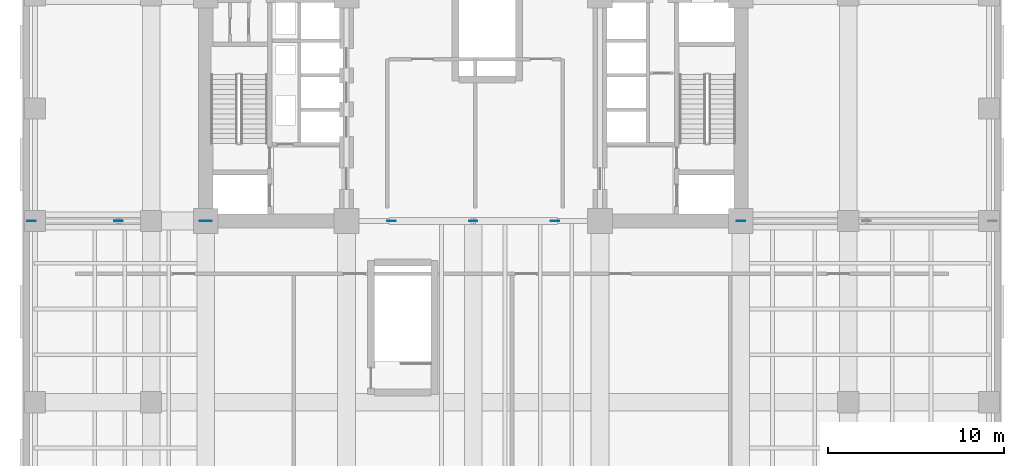
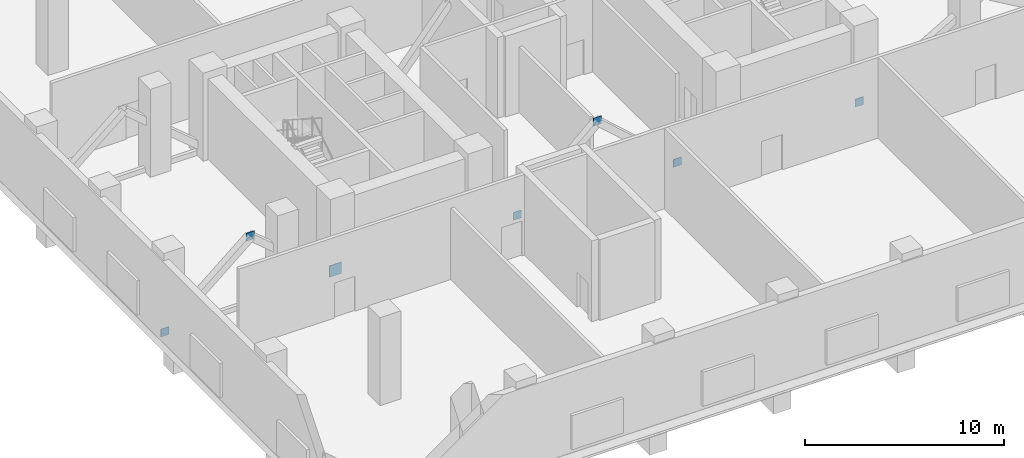
# One storey, part 3 of 13: 7 plates.
"""IFC4 building model written with IfcOpenShell, lengths in metres."""

from ifc_helpers import new_model, si_unit, direction, frame, origin, origin_2d, place, context, subcontext, project, spatial, rectangle, extrude, material, layer, layer_set, type_object, element, save


model = new_model("IFC4")

# Units and contexts
model_context = context("Model", 3, precision=1e-05, world=origin(), true_north=direction((0.0, 1.0)))
body_context = subcontext(model_context, "Body", "Model", "MODEL_VIEW")
ifc_project = project(units=[si_unit("LENGTHUNIT", "METRE"), si_unit("AREAUNIT", "SQUARE_METRE"), si_unit("VOLUMEUNIT", "CUBIC_METRE"), si_unit("PLANEANGLEUNIT", "RADIAN"), si_unit("MASSUNIT", "GRAM", prefix="KILO")], contexts=[model_context])

# Site, building, storey
site_placement = place(None, origin())
site = spatial("IfcSite", under=ifc_project, at=site_placement, CompositionType="ELEMENT")
building_placement = place(site_placement, origin())
building = spatial("IfcBuilding", under=site, at=building_placement, Name="Kranthara Brick Stack", CompositionType="ELEMENT")
storey_placement = place(building_placement, frame((0.0, 0.0, 18.89990234375)))
storey = spatial("IfcBuildingStorey", under=building, at=storey_placement, Name="L04", CompositionType="ELEMENT", Elevation=18.89990234375)

# Plates
ifc_material = material(Name="Steel S355", Category="steel")
ifc_layer = layer(ifc_material, 0.030029296875)
ifc_layer_set = layer_set([ifc_layer], Name="Steel S355")
plate_type = type_object("IfcPlateType", Name="PLT-GUSSET-30", PredefinedType="USERDEFINED", material=ifc_layer_set)
plate_placement = place(storey_placement, frame((12.800048828125, 20.800048828125, 0.10009765625), z_axis=(0.0, 0.0, 1.0), x_axis=(1.0, 0.0, 0.0)))
element("IfcPlate", 1, at=plate_placement, inside=storey, type_object=plate_type, Name="L04 Outrigger Core Gusset Plate 1", ObjectType="GUSSET PLATE", PredefinedType="USERDEFINED", context=body_context, shape_type="SweptSolid", body=[
    extrude(rectangle(XDim=0.699951171875, YDim=0.030029296875, at=origin_2d()), origin(), (0.0, 0.0, 1.0), 0.699951171875),
])
for number, where, z_axis, x_axis, name in (
    (2, (7.85009765625, 20.800048828125, 4.010009765625), (0.0, 0.0, 1.0), (1.0, 0.0, 0.0), "L04 Brace and Strut End Connection Gusset Plate 133"),
    (3, (43.199951171875, 20.800048828125, -0.139892578125), (0.0, 0.0, 1.0), (1.0, 0.0, 0.0), "L04 Brace and Strut End Connection Gusset Plate 135"),
    (4, (2.89990234375, 20.800048828125, -0.139892578125), (0.0, 0.0, 1.0), (1.0, 0.0, 0.0), "L04 Brace and Strut End Connection Gusset Plate 139"),
    (5, (23.35009765625, 20.800048828125, -0.139892578125), (0.0, 0.0, 1.0), (1.0, 0.0, 0.0), "L04 Brace and Strut End Connection Gusset Plate 143"),
    (6, (28.0, 20.800048828125, 4.010009765625), (0.0, 0.0, 1.0), (1.0, 0.0, 0.0), "L04 Brace and Strut End Connection Gusset Plate 144"),
    (7, (32.64990234375, 20.800048828125, -0.139892578125), (0.0, 0.0, 1.0), (1.0, 0.0, 0.0), "L04 Brace and Strut End Connection Gusset Plate 145"),
):
    element("IfcPlate", number, at=place(storey_placement, frame(where, z_axis=z_axis, x_axis=x_axis)), inside=storey, type_object=plate_type, Name=name, ObjectType="GUSSET PLATE", PredefinedType="USERDEFINED", context=body_context, shape_type="SweptSolid", body=[
        extrude(rectangle(XDim=0.47998046875, YDim=0.030029296875, at=origin_2d()), origin(), (0.0, 0.0, 1.0), 0.47998046875),
    ])

save(model, "model.ifc")
